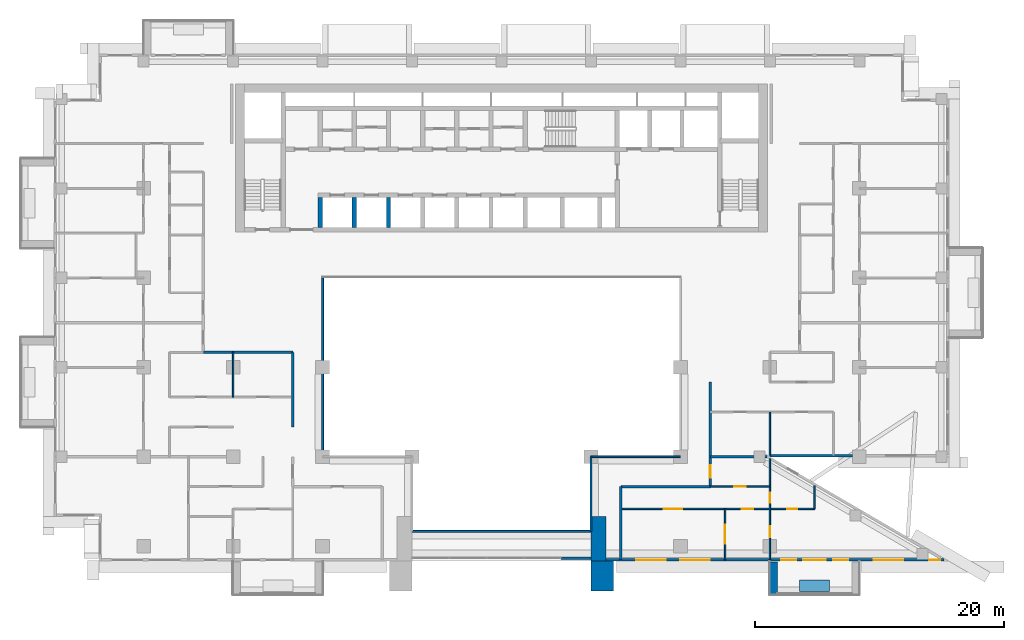
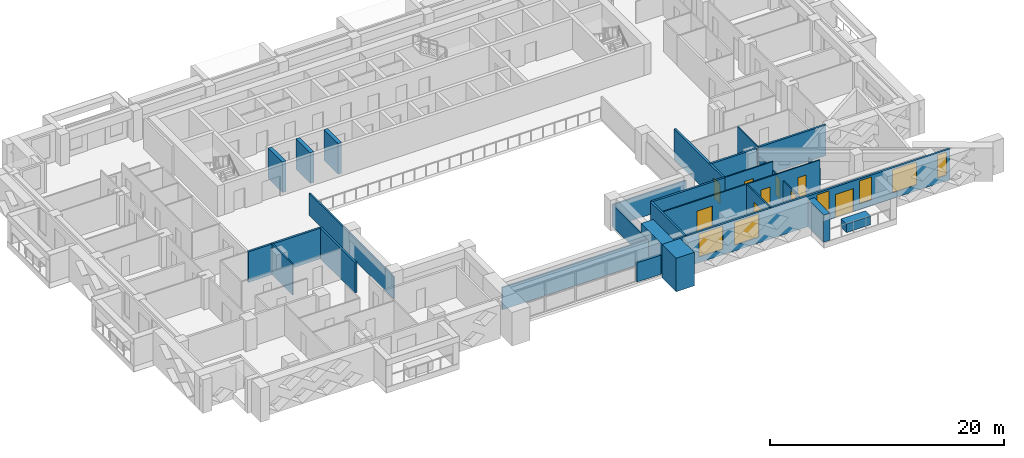
# One storey, part 8 of 20: 27 walls, 9 doors, 6 windows, 15 openings.
"""IFC4 building model written with IfcOpenShell, lengths in metres."""

from ifc_helpers import new_model, si_unit, direction, frame, frame_2d, origin, place, context, subcontext, project, spatial, rectangle, extrude, material, layer, layer_set, type_object, element, fill, save


model = new_model("IFC4")

# Units and contexts
model_context = context("Model", 3, precision=1e-05, world=origin(), true_north=direction((0.0, 1.0)))
body_context = subcontext(model_context, "Body", "Model", "MODEL_VIEW")
ifc_project = project(units=[si_unit("LENGTHUNIT", "METRE"), si_unit("AREAUNIT", "SQUARE_METRE"), si_unit("VOLUMEUNIT", "CUBIC_METRE"), si_unit("PLANEANGLEUNIT", "RADIAN"), si_unit("MASSUNIT", "GRAM", prefix="KILO")], contexts=[model_context])

# Site, building, storey
site_placement = place(None, origin())
site = spatial("IfcSite", under=ifc_project, at=site_placement, CompositionType="ELEMENT")
building_placement = place(site_placement, origin())
building = spatial("IfcBuilding", under=site, at=building_placement, Name="Saffron Iwan Residences", CompositionType="ELEMENT")
storey_placement = place(building_placement, frame((0.0, 0.0, 127.0)))
storey = spatial("IfcBuildingStorey", under=building, at=storey_placement, Name="L33", CompositionType="ELEMENT", Elevation=127.0)

# Walls
ifc_material_1 = material(Name="Fire-rated glazing", Category="glass")
ifc_layer_1 = layer(ifc_material_1, 0.14990234375)
ifc_layer_set_1 = layer_set([ifc_layer_1], Name="Fire-rated glazing")
wall_type_1 = type_object("IfcWallType", Name="Atrium glazed screen 150", PredefinedType="SOLIDWALL", material=ifc_layer_set_1)
wall_1_placement = place(storey_placement, frame((43.199951171875, 42.0, 0.0), z_axis=(0.0, 0.0, 1.0), x_axis=(1.0, 0.0, 0.0)))
element("IfcWall", 1, at=wall_1_placement, inside=storey, type_object=wall_type_1, Name="W-L33-SCREEN-h42-43.2", PredefinedType="SOLIDWALL", context=body_context, shape_type="SweptSolid", body=[
    extrude(rectangle(XDim=14.400146484375, YDim=0.14990234375, at=frame_2d((7.2001953125, 0.0))), origin(), (0.0, 0.0, 1.0), 2.300048828125),
])
wall_2_placement = place(storey_placement, frame((57.60009765625, 48.0, 0.0), z_axis=(0.0, 0.0, 1.0), x_axis=(1.0, 0.0, 0.0)))
element("IfcWall", 2, at=wall_2_placement, inside=storey, type_object=wall_type_1, Name="W-L33-SCREEN-h48-57.6", PredefinedType="SOLIDWALL", context=body_context, shape_type="SweptSolid", body=[
    extrude(rectangle(XDim=7.199951171875, YDim=0.14990234375, at=frame_2d((3.60009765625, 0.0))), origin(), (0.0, 0.0, 1.0), 2.300048828125),
])
wall_3_placement = place(storey_placement, frame((36.0, 48.0, 0.0), z_axis=(0.0, 0.0, 1.0), x_axis=(0.0, 1.0, 0.0)))
element("IfcWall", 3, at=wall_3_placement, inside=storey, type_object=wall_type_1, Name="W-L33-SCREEN-v36-48", PredefinedType="SOLIDWALL", context=body_context, shape_type="SweptSolid", body=[
    extrude(rectangle(XDim=14.39990234375, YDim=0.14990234375, at=frame_2d((7.199951171875, 0.0))), origin(), (0.0, 0.0, 1.0), 2.300048828125),
])
wall_4_placement = place(storey_placement, frame((57.60009765625, 42.0, 0.0), z_axis=(0.0, 0.0, 1.0), x_axis=(0.0, 1.0, 0.0)))
element("IfcWall", 4, at=wall_4_placement, inside=storey, type_object=wall_type_1, Name="W-L33-SCREEN-v57.6-42", PredefinedType="SOLIDWALL", context=body_context, shape_type="SweptSolid", body=[
    extrude(rectangle(XDim=6.0, YDim=0.14990234375, at=frame_2d((3.0, 0.0))), origin(), (0.0, 0.0, 1.0), 2.300048828125),
])
ifc_material_2 = material(Name="Concrete C50/60 white painted", Category="concrete")
ifc_layer_2 = layer(ifc_material_2, 0.60009765625)
ifc_layer_set_2 = layer_set([ifc_layer_2], Name="Concrete C50/60 white painted")
wall_type_2 = type_object("IfcWallType", Name="BALCONY FIN 600", PredefinedType="SOLIDWALL", material=ifc_layer_set_2)
wall_5_placement = place(storey_placement, frame((72.300048828125, 39.550048828125, 0.0), z_axis=(0.0, 0.0, 1.0), x_axis=(0.0, -1.0, 0.0)))
element("IfcWall", 5, at=wall_5_placement, inside=storey, type_object=wall_type_2, Name="Balcony fin L33 11-1a", PredefinedType="SOLIDWALL", context=body_context, shape_type="SweptSolid", body=[
    extrude(rectangle(XDim=2.650146484375, YDim=0.60009765625, at=frame_2d((1.3251953125, 0.0))), origin(), (0.0, 0.0, 1.0), 2.85009765625),
])
ifc_material_3 = material(Name="Concrete C35/45 white painted", Category="concrete")
ifc_layer_3 = layer(ifc_material_3, 0.14990234375)
ifc_layer_set_3 = layer_set([ifc_layer_3], Name="Concrete C35/45 white painted")
wall_type_3 = type_object("IfcWallType", Name="BALCONY PLANTER", PredefinedType="SOLIDWALL", material=ifc_layer_set_3)
wall_6_placement = place(storey_placement, frame((74.39990234375, 37.625, 0.0), z_axis=(0.0, 0.0, 1.0), x_axis=(1.0, 0.0, 0.0)))
element("IfcWall", 6, at=wall_6_placement, inside=storey, type_object=wall_type_3, Name="PLANTER L33 11-1", PredefinedType="SOLIDWALL", context=body_context, shape_type="SweptSolid", body=[
    extrude(rectangle(XDim=2.400146484375, YDim=0.89990234375, at=frame_2d((1.2001953125, 0.0))), origin(), (0.0, 0.0, 1.0), 0.89990234375),
])
ifc_material_4 = material(Name="Concrete C40/50", Category="concrete")
ifc_layer_4 = layer(ifc_material_4, 0.199951171875)
ifc_layer_set_4 = layer_set([ifc_layer_4], Name="Concrete C40/50")
wall_type_4 = type_object("IfcWallType", Name="EXTERNAL WALL 200", PredefinedType="SOLIDWALL", material=ifc_layer_set_4)
wall_7_placement = place(storey_placement, frame((71.989990234375, 48.10009765625, 0.0), z_axis=(0.0, 0.0, 1.0), x_axis=(1.0, 0.0, 0.0)))
element("IfcWall", 7, at=wall_7_placement, inside=storey, type_object=wall_type_4, Name="External wall L33 F1.0", PredefinedType="SOLIDWALL", context=body_context, shape_type="SweptSolid", body=[
    extrude(rectangle(XDim=6.659912109375, YDim=0.199951171875, at=frame_2d((3.330078125, 0.0))), origin(), (0.0, 0.0, 1.0), 3.199951171875),
])

# Wall, openings, door, windows
wall_8_placement = place(storey_placement, frame((58.800048828125, 39.699951171875, 0.0), z_axis=(0.0, 0.0, 1.0), x_axis=(1.0, 0.0, 0.0)))
wall_8 = element("IfcWall", 8, at=wall_8_placement, inside=storey, type_object=wall_type_4, Name="External wall L33 F11.1", PredefinedType="SOLIDWALL", context=body_context, shape_type="SweptSolid", body=[
    extrude(rectangle(XDim=27.22998046875, YDim=0.199951171875, at=frame_2d((13.614990234375, 0.0))), origin(), (0.0, 0.0, 1.0), 3.199951171875),
])
opening_1_placement = place(wall_8_placement, frame((15.89990234375, 0.0, 0.0)))
opening_1 = element("IfcOpeningElement", 9, at=opening_1_placement, cuts=wall_8, Name="Opening BD1", PredefinedType="OPENING", context=body_context, shape_type="SweptSolid", body=[
    extrude(rectangle(XDim=1.800048828125, YDim=2.39990234375, at=frame_2d((0.89990234375, 1.199951171875))), frame((0.0, 0.10986328125, 0.0), z_axis=(0.0, -1.0, 0.0), x_axis=(1.0, 0.0, 0.0)), (0.0, 0.0, 1.0), 0.219970703125),
])
opening_2_placement = place(wall_8_placement, frame((2.433349609375, 0.0, 0.60009765625)))
opening_2 = element("IfcOpeningElement", 10, at=opening_2_placement, cuts=wall_8, Name="Opening W1", PredefinedType="OPENING", context=body_context, shape_type="SweptSolid", body=[
    extrude(rectangle(XDim=2.39990234375, YDim=2.39990234375, at=frame_2d((1.199951171875, 1.199951171875))), frame((0.0, 0.10986328125, 0.0), z_axis=(0.0, -1.0, 0.0), x_axis=(1.0, 0.0, 0.0)), (0.0, 0.0, 1.0), 0.219970703125),
])
opening_3_placement = place(wall_8_placement, frame((5.966796875, 0.0, 0.60009765625)))
opening_3 = element("IfcOpeningElement", 11, at=opening_3_placement, cuts=wall_8, Name="Opening W1", PredefinedType="OPENING", context=body_context, shape_type="SweptSolid", body=[
    extrude(rectangle(XDim=2.39990234375, YDim=2.39990234375, at=frame_2d((1.199951171875, 1.199951171875))), frame((0.0, 0.10986328125, 0.0), z_axis=(0.0, -1.0, 0.0), x_axis=(1.0, 0.0, 0.0)), (0.0, 0.0, 1.0), 0.219970703125),
])
opening_4_placement = place(wall_8_placement, frame((14.10009765625, 0.0, 0.60009765625)))
opening_4 = element("IfcOpeningElement", 12, at=opening_4_placement, cuts=wall_8, Name="Opening W3", PredefinedType="OPENING", context=body_context, shape_type="SweptSolid", body=[
    extrude(rectangle(XDim=1.199951171875, YDim=2.39990234375, at=frame_2d((0.60009765625, 1.199951171875))), frame((0.0, 0.10986328125, 0.0), z_axis=(0.0, -1.0, 0.0), x_axis=(1.0, 0.0, 0.0)), (0.0, 0.0, 1.0), 0.219970703125),
])
opening_5_placement = place(wall_8_placement, frame((18.300048828125, 0.0, 0.60009765625)))
opening_5 = element("IfcOpeningElement", 13, at=opening_5_placement, cuts=wall_8, Name="Opening W3", PredefinedType="OPENING", context=body_context, shape_type="SweptSolid", body=[
    extrude(rectangle(XDim=1.199951171875, YDim=2.39990234375, at=frame_2d((0.60009765625, 1.199951171875))), frame((0.0, 0.10986328125, 0.0), z_axis=(0.0, -1.0, 0.0), x_axis=(1.0, 0.0, 0.0)), (0.0, 0.0, 1.0), 0.219970703125),
])
opening_6_placement = place(wall_8_placement, frame((21.5380859375, 0.0, 0.60009765625)))
opening_6 = element("IfcOpeningElement", 14, at=opening_6_placement, cuts=wall_8, Name="Opening W1", PredefinedType="OPENING", context=body_context, shape_type="SweptSolid", body=[
    extrude(rectangle(XDim=2.39990234375, YDim=2.39990234375, at=frame_2d((1.199951171875, 1.199951171875))), frame((0.0, 0.10986328125, 0.0), z_axis=(0.0, -1.0, 0.0), x_axis=(1.0, 0.0, 0.0)), (0.0, 0.0, 1.0), 0.219970703125),
])
opening_7_placement = place(wall_8_placement, frame((26.003173828125, 0.0, 0.60009765625)))
opening_7 = element("IfcOpeningElement", 15, at=opening_7_placement, cuts=wall_8, Name="Opening W10", PredefinedType="OPENING", context=body_context, shape_type="SweptSolid", body=[
    extrude(rectangle(XDim=0.89990234375, YDim=2.39990234375, at=frame_2d((0.449951171875, 1.199951171875))), frame((0.0, 0.10986328125, 0.0), z_axis=(0.0, -1.0, 0.0), x_axis=(1.0, 0.0, 0.0)), (0.0, 0.0, 1.0), 0.219970703125),
])
ifc_material_5 = material(Name="Clear glass, laminated double glazed", Category="glass")
door_type_1 = type_object("IfcDoorType", Name="BALCONY DOOR 1800 x 2400", OperationType="DOUBLE_DOOR_SLIDING", PredefinedType="DOOR", material=ifc_material_5)
door_1_placement = place(opening_1_placement, origin())
door_1 = element("IfcDoor", 16, at=door_1_placement, inside=storey, type_object=door_type_1, Name="Balcony door L33 F11.0", OperationType="DOUBLE_DOOR_SLIDING", OverallHeight=2.39990234375, OverallWidth=1.800048828125, PredefinedType="DOOR", context=body_context, shape_type="SweptSolid", body=[
    extrude(rectangle(XDim=1.800048828125, YDim=2.39990234375, at=frame_2d((0.89990234375, 1.199951171875))), frame((0.0, 0.02490234375, 0.0), z_axis=(0.0, -1.0, 0.0), x_axis=(1.0, 0.0, 0.0)), (0.0, 0.0, 1.0), 0.050048828125),
])
fill(opening_1, door_1)
window_type_1 = type_object("IfcWindowType", Name="WINDOW 1200 x 2400", PartitioningType="SINGLE_PANEL", PredefinedType="WINDOW", material=ifc_material_5)
window_1_placement = place(opening_4_placement, origin())
window_1 = element("IfcWindow", 17, at=window_1_placement, inside=storey, type_object=window_type_1, Name="Window L33 F11.3", OverallHeight=2.39990234375, OverallWidth=1.199951171875, PartitioningType="SINGLE_PANEL", PredefinedType="WINDOW", context=body_context, shape_type="SweptSolid", body=[
    extrude(rectangle(XDim=1.199951171875, YDim=2.39990234375, at=frame_2d((0.60009765625, 1.199951171875))), frame((0.0, 0.030029296875, 0.0), z_axis=(0.0, -1.0, 0.0), x_axis=(1.0, 0.0, 0.0)), (0.0, 0.0, 1.0), 0.06005859375),
])
fill(opening_4, window_1)
window_2_placement = place(opening_5_placement, origin())
window_2 = element("IfcWindow", 18, at=window_2_placement, inside=storey, type_object=window_type_1, Name="Window L33 F11.4", OverallHeight=2.39990234375, OverallWidth=1.199951171875, PartitioningType="SINGLE_PANEL", PredefinedType="WINDOW", context=body_context, shape_type="SweptSolid", body=[
    extrude(rectangle(XDim=1.199951171875, YDim=2.39990234375, at=frame_2d((0.60009765625, 1.199951171875))), frame((0.0, 0.030029296875, 0.0), z_axis=(0.0, -1.0, 0.0), x_axis=(1.0, 0.0, 0.0)), (0.0, 0.0, 1.0), 0.06005859375),
])
fill(opening_5, window_2)
window_type_2 = type_object("IfcWindowType", Name="WINDOW 2400 x 2400", PartitioningType="DOUBLE_PANEL_VERTICAL", PredefinedType="WINDOW", material=ifc_material_5)
window_3_placement = place(opening_2_placement, origin())
window_3 = element("IfcWindow", 19, at=window_3_placement, inside=storey, type_object=window_type_2, Name="Window L33 F11.1", OverallHeight=2.39990234375, OverallWidth=2.39990234375, PartitioningType="DOUBLE_PANEL_VERTICAL", PredefinedType="WINDOW", context=body_context, shape_type="SweptSolid", body=[
    extrude(rectangle(XDim=2.39990234375, YDim=2.39990234375, at=frame_2d((1.199951171875, 1.199951171875))), frame((0.0, 0.030029296875, 0.0), z_axis=(0.0, -1.0, 0.0), x_axis=(1.0, 0.0, 0.0)), (0.0, 0.0, 1.0), 0.06005859375),
])
fill(opening_2, window_3)
window_4_placement = place(opening_3_placement, origin())
window_4 = element("IfcWindow", 20, at=window_4_placement, inside=storey, type_object=window_type_2, Name="Window L33 F11.2", OverallHeight=2.39990234375, OverallWidth=2.39990234375, PartitioningType="DOUBLE_PANEL_VERTICAL", PredefinedType="WINDOW", context=body_context, shape_type="SweptSolid", body=[
    extrude(rectangle(XDim=2.39990234375, YDim=2.39990234375, at=frame_2d((1.199951171875, 1.199951171875))), frame((0.0, 0.030029296875, 0.0), z_axis=(0.0, -1.0, 0.0), x_axis=(1.0, 0.0, 0.0)), (0.0, 0.0, 1.0), 0.06005859375),
])
fill(opening_3, window_4)
window_5_placement = place(opening_6_placement, origin())
window_5 = element("IfcWindow", 21, at=window_5_placement, inside=storey, type_object=window_type_2, Name="Window L33 F11.5", OverallHeight=2.39990234375, OverallWidth=2.39990234375, PartitioningType="DOUBLE_PANEL_VERTICAL", PredefinedType="WINDOW", context=body_context, shape_type="SweptSolid", body=[
    extrude(rectangle(XDim=2.39990234375, YDim=2.39990234375, at=frame_2d((1.199951171875, 1.199951171875))), frame((0.0, 0.030029296875, 0.0), z_axis=(0.0, -1.0, 0.0), x_axis=(1.0, 0.0, 0.0)), (0.0, 0.0, 1.0), 0.06005859375),
])
fill(opening_6, window_5)
window_type_3 = type_object("IfcWindowType", Name="WINDOW 900 x 2400", PartitioningType="SINGLE_PANEL", PredefinedType="WINDOW", material=ifc_material_5)
window_6_placement = place(opening_7_placement, origin())
window_6 = element("IfcWindow", 22, at=window_6_placement, inside=storey, type_object=window_type_3, Name="Window L33 F11.6", OverallHeight=2.39990234375, OverallWidth=0.89990234375, PartitioningType="SINGLE_PANEL", PredefinedType="WINDOW", context=body_context, shape_type="SweptSolid", body=[
    extrude(rectangle(XDim=0.89990234375, YDim=2.39990234375, at=frame_2d((0.449951171875, 1.199951171875))), frame((0.0, 0.030029296875, 0.0), z_axis=(0.0, -1.0, 0.0), x_axis=(1.0, 0.0, 0.0)), (0.0, 0.0, 1.0), 0.06005859375),
])
fill(opening_7, window_6)

# Walls
wall_9_placement = place(storey_placement, frame((55.199951171875, 39.85009765625, 0.0), z_axis=(0.0, 0.0, 1.0), x_axis=(1.0, 0.0, 0.0)))
element("IfcWall", 23, at=wall_9_placement, inside=storey, type_object=wall_type_4, Name="External wall infill CWB-L33-0", PredefinedType="SOLIDWALL", context=body_context, shape_type="SweptSolid", body=[
    extrude(rectangle(XDim=2.400146484375, YDim=0.199951171875, at=frame_2d((1.2001953125, 0.0))), origin(), (0.0, 0.0, 1.0), 2.0),
])
ifc_material_6 = material(Name="Fire-rated gypsum board wall")
ifc_layer_5 = layer(ifc_material_6, 0.199951171875)
ifc_layer_set_5 = layer_set([ifc_layer_5], Name="Fire-rated gypsum board wall")
wall_type_5 = type_object("IfcWallType", Name="Flat demising wall 200", PredefinedType="SOLIDWALL", material=ifc_layer_set_5)
wall_10_placement = place(storey_placement, frame((67.199951171875, 48.0, 0.0), z_axis=(0.0, 0.0, 1.0), x_axis=(1.0, 0.0, 0.0)))
element("IfcWall", 24, at=wall_10_placement, inside=storey, type_object=wall_type_5, Name="W-L33-DEMISE-h48-67.2", PredefinedType="SOLIDWALL", context=body_context, shape_type="SweptSolid", body=[
    extrude(rectangle(XDim=4.552001953125, YDim=0.199951171875, at=frame_2d((2.27587890625, 0.0))), origin(), (0.0, 0.0, 1.0), 3.199951171875),
])

# Wall, openings, doors
ifc_material_7 = material(Name="Gypsum board partition")
ifc_layer_6 = layer(ifc_material_7, 0.1201171875)
ifc_layer_set_6 = layer_set([ifc_layer_6], Name="Gypsum board partition")
wall_type_6 = type_object("IfcWallType", Name="Flat partition 120", PredefinedType="PARTITIONING", material=ifc_layer_set_6)
wall_11_placement = place(storey_placement, frame((60.0, 43.800048828125, 0.0), z_axis=(0.0, 0.0, 1.0), x_axis=(1.0, 0.0, 0.0)))
wall_11 = element("IfcWall", 25, at=wall_11_placement, inside=storey, type_object=wall_type_6, Name="W-L33-PART-h43.8-60", PredefinedType="PARTITIONING", context=body_context, shape_type="SweptSolid", body=[
    extrude(rectangle(XDim=15.60009765625, YDim=0.1201171875, at=frame_2d((7.800048828125, 0.0))), origin(), (0.0, 0.0, 1.0), 3.199951171875),
])
opening_8_placement = place(wall_11_placement, frame((9.75, 0.0, 0.0)))
opening_8 = element("IfcOpeningElement", 26, at=opening_8_placement, cuts=wall_11, Name="Opening FD2", PredefinedType="OPENING", context=body_context, shape_type="SweptSolid", body=[
    extrude(rectangle(XDim=0.89990234375, YDim=2.10009765625, at=frame_2d((0.449951171875, 1.050048828125))), frame((0.0, 0.070068359375, 0.0), z_axis=(0.0, -1.0, 0.0), x_axis=(1.0, 0.0, 0.0)), (0.0, 0.0, 1.0), 0.14013671875),
])
opening_9_placement = place(wall_11_placement, frame((3.449951171875, 0.0, 0.0)))
opening_9 = element("IfcOpeningElement", 27, at=opening_9_placement, cuts=wall_11, Name="Opening FD4", PredefinedType="OPENING", context=body_context, shape_type="SweptSolid", body=[
    extrude(rectangle(XDim=1.5, YDim=2.10009765625, at=frame_2d((0.75, 1.050048828125))), frame((0.0, 0.070068359375, 0.0), z_axis=(0.0, -1.0, 0.0), x_axis=(1.0, 0.0, 0.0)), (0.0, 0.0, 1.0), 0.14013671875),
])
opening_10_placement = place(wall_11_placement, frame((13.39990234375, 0.0, 0.0)))
opening_10 = element("IfcOpeningElement", 28, at=opening_10_placement, cuts=wall_11, Name="Opening FD3", PredefinedType="OPENING", context=body_context, shape_type="SweptSolid", body=[
    extrude(rectangle(XDim=0.800048828125, YDim=2.10009765625, at=frame_2d((0.39990234375, 1.050048828125))), frame((0.0, 0.070068359375, 0.0), z_axis=(0.0, -1.0, 0.0), x_axis=(1.0, 0.0, 0.0)), (0.0, 0.0, 1.0), 0.14013671875),
])
ifc_material_8 = material(Name="Timber door", Category="wood")
door_type_2 = type_object("IfcDoorType", Name="Bathroom door 800", OperationType="NOTDEFINED", PredefinedType="DOOR", material=ifc_material_8)
door_2_placement = place(opening_10_placement, origin())
door_2 = element("IfcDoor", 29, at=door_2_placement, inside=storey, type_object=door_type_2, Name="Door L33-045", OperationType="SINGLE_SWING_LEFT", OverallHeight=2.10009765625, OverallWidth=0.800048828125, PredefinedType="DOOR", context=body_context, shape_type="SweptSolid", body=[
    extrude(rectangle(XDim=0.800048828125, YDim=2.10009765625, at=frame_2d((0.39990234375, 1.050048828125))), frame((0.0, 0.02490234375, 0.0), z_axis=(0.0, -1.0, 0.0), x_axis=(1.0, 0.0, 0.0)), (0.0, 0.0, 1.0), 0.050048828125),
])
fill(opening_10, door_2)
door_type_3 = type_object("IfcDoorType", Name="Double door 1500", OperationType="NOTDEFINED", PredefinedType="DOOR", material=ifc_material_8)
door_3_placement = place(opening_9_placement, origin())
door_3 = element("IfcDoor", 30, at=door_3_placement, inside=storey, type_object=door_type_3, Name="Door L33-042", OperationType="SINGLE_SWING_LEFT", OverallHeight=2.10009765625, OverallWidth=1.5, PredefinedType="DOOR", context=body_context, shape_type="SweptSolid", body=[
    extrude(rectangle(XDim=1.5, YDim=2.10009765625, at=frame_2d((0.75, 1.050048828125))), frame((0.0, 0.02490234375, 0.0), z_axis=(0.0, -1.0, 0.0), x_axis=(1.0, 0.0, 0.0)), (0.0, 0.0, 1.0), 0.050048828125),
])
fill(opening_9, door_3)
door_type_4 = type_object("IfcDoorType", Name="Flat door 900", OperationType="NOTDEFINED", PredefinedType="DOOR", material=ifc_material_8)
door_4_placement = place(opening_8_placement, origin())
door_4 = element("IfcDoor", 31, at=door_4_placement, inside=storey, type_object=door_type_4, Name="Door L33-041", OperationType="SINGLE_SWING_LEFT", OverallHeight=2.10009765625, OverallWidth=0.89990234375, PredefinedType="DOOR", context=body_context, shape_type="SweptSolid", body=[
    extrude(rectangle(XDim=0.89990234375, YDim=2.10009765625, at=frame_2d((0.449951171875, 1.050048828125))), frame((0.0, 0.02490234375, 0.0), z_axis=(0.0, -1.0, 0.0), x_axis=(1.0, 0.0, 0.0)), (0.0, 0.0, 1.0), 0.050048828125),
])
fill(opening_8, door_4)

# Wall, opening, door
wall_12_placement = place(storey_placement, frame((67.199951171875, 45.60009765625, 0.0), z_axis=(0.0, 0.0, 1.0), x_axis=(1.0, 0.0, 0.0)))
wall_12 = element("IfcWall", 32, at=wall_12_placement, inside=storey, type_object=wall_type_6, Name="W-L33-PART-h45.6-67.2", PredefinedType="PARTITIONING", context=body_context, shape_type="SweptSolid", body=[
    extrude(rectangle(XDim=4.800048828125, YDim=0.1201171875, at=frame_2d((2.39990234375, 0.0))), origin(), (0.0, 0.0, 1.0), 3.199951171875),
])
opening_11_placement = place(wall_12_placement, frame((1.949951171875, 0.0, 0.0)))
opening_11 = element("IfcOpeningElement", 33, at=opening_11_placement, cuts=wall_12, Name="Opening FD2", PredefinedType="OPENING", context=body_context, shape_type="SweptSolid", body=[
    extrude(rectangle(XDim=0.89990234375, YDim=2.10009765625, at=frame_2d((0.449951171875, 1.050048828125))), frame((0.0, 0.070068359375, 0.0), z_axis=(0.0, -1.0, 0.0), x_axis=(1.0, 0.0, 0.0)), (0.0, 0.0, 1.0), 0.14013671875),
])
door_5_placement = place(opening_11_placement, origin())
door_5 = element("IfcDoor", 34, at=door_5_placement, inside=storey, type_object=door_type_4, Name="Door L33-039", OperationType="SINGLE_SWING_LEFT", OverallHeight=2.10009765625, OverallWidth=0.89990234375, PredefinedType="DOOR", context=body_context, shape_type="SweptSolid", body=[
    extrude(rectangle(XDim=0.89990234375, YDim=2.10009765625, at=frame_2d((0.449951171875, 1.050048828125))), frame((0.0, 0.02490234375, 0.0), z_axis=(0.0, -1.0, 0.0), x_axis=(1.0, 0.0, 0.0)), (0.0, 0.0, 1.0), 0.050048828125),
])
fill(opening_11, door_5)

# Wall
wall_13_placement = place(storey_placement, frame((28.800048828125, 52.800048828125, 0.0), z_axis=(0.0, 0.0, 1.0), x_axis=(0.0, 1.0, 0.0)))
element("IfcWall", 35, at=wall_13_placement, inside=storey, type_object=wall_type_6, Name="W-L33-PART-v28.8-52.8", PredefinedType="PARTITIONING", context=body_context, shape_type="SweptSolid", body=[
    extrude(rectangle(XDim=3.599853515625, YDim=0.1201171875, at=frame_2d((1.7998046875, 0.0))), origin(), (0.0, 0.0, 1.0), 3.199951171875),
])

# Wall, opening, door
wall_14_placement = place(storey_placement, frame((68.39990234375, 39.72509765625, 0.0), z_axis=(0.0, 0.0, 1.0), x_axis=(0.0, 1.0, 0.0)))
wall_14 = element("IfcWall", 36, at=wall_14_placement, inside=storey, type_object=wall_type_6, Name="W-L33-PART-v68.4-39.725", PredefinedType="PARTITIONING", context=body_context, shape_type="SweptSolid", body=[
    extrude(rectangle(XDim=4.074951171875, YDim=0.1201171875, at=frame_2d((2.03759765625, 0.0))), origin(), (0.0, 0.0, 1.0), 3.199951171875),
])
opening_12_placement = place(wall_14_placement, frame((1.28759765625, 0.0, 0.0)))
opening_12 = element("IfcOpeningElement", 37, at=opening_12_placement, cuts=wall_14, Name="Opening FD4", PredefinedType="OPENING", context=body_context, shape_type="SweptSolid", body=[
    extrude(rectangle(XDim=1.5, YDim=2.10009765625, at=frame_2d((0.75, 1.050048828125))), frame((0.0, 0.070068359375, 0.0), z_axis=(0.0, -1.0, 0.0), x_axis=(1.0, 0.0, 0.0)), (0.0, 0.0, 1.0), 0.14013671875),
])
door_6_placement = place(opening_12_placement, origin())
door_6 = element("IfcDoor", 38, at=door_6_placement, inside=storey, type_object=door_type_3, Name="Door L33-038", OperationType="SINGLE_SWING_LEFT", OverallHeight=2.10009765625, OverallWidth=1.5, PredefinedType="DOOR", context=body_context, shape_type="SweptSolid", body=[
    extrude(rectangle(XDim=1.5, YDim=2.10009765625, at=frame_2d((0.75, 1.050048828125))), frame((0.0, 0.02490234375, 0.0), z_axis=(0.0, -1.0, 0.0), x_axis=(1.0, 0.0, 0.0)), (0.0, 0.0, 1.0), 0.050048828125),
])
fill(opening_12, door_6)

# Wall, openings, doors
wall_15_placement = place(storey_placement, frame((72.0, 39.72509765625, 0.0), z_axis=(0.0, 0.0, 1.0), x_axis=(0.0, 1.0, 0.0)))
wall_15 = element("IfcWall", 39, at=wall_15_placement, inside=storey, type_object=wall_type_6, Name="W-L33-PART-v72-39.725", PredefinedType="PARTITIONING", context=body_context, shape_type="SweptSolid", body=[
    extrude(rectangle(XDim=8.1298828125, YDim=0.1201171875, at=frame_2d((4.06494140625, 0.0))), origin(), (0.0, 0.0, 1.0), 2.300048828125),
])
opening_13_placement = place(wall_15_placement, frame((1.78759765625, 0.0, 0.0)))
opening_13 = element("IfcOpeningElement", 40, at=opening_13_placement, cuts=wall_15, Name="Opening FD2", PredefinedType="OPENING", context=body_context, shape_type="SweptSolid", body=[
    extrude(rectangle(XDim=0.89990234375, YDim=2.10009765625, at=frame_2d((0.449951171875, 1.050048828125))), frame((0.0, 0.070068359375, 0.0), z_axis=(0.0, -1.0, 0.0), x_axis=(1.0, 0.0, 0.0)), (0.0, 0.0, 1.0), 0.14013671875),
])
opening_14_placement = place(wall_15_placement, frame((4.574951171875, 0.0, 0.0)))
opening_14 = element("IfcOpeningElement", 41, at=opening_14_placement, cuts=wall_15, Name="Opening FD3", PredefinedType="OPENING", context=body_context, shape_type="SweptSolid", body=[
    extrude(rectangle(XDim=0.800048828125, YDim=2.10009765625, at=frame_2d((0.39990234375, 1.050048828125))), frame((0.0, 0.070068359375, 0.0), z_axis=(0.0, -1.0, 0.0), x_axis=(1.0, 0.0, 0.0)), (0.0, 0.0, 1.0), 0.14013671875),
])
door_7_placement = place(opening_14_placement, origin())
door_7 = element("IfcDoor", 42, at=door_7_placement, inside=storey, type_object=door_type_2, Name="Door L33-044", OperationType="SINGLE_SWING_LEFT", OverallHeight=2.10009765625, OverallWidth=0.800048828125, PredefinedType="DOOR", context=body_context, shape_type="SweptSolid", body=[
    extrude(rectangle(XDim=0.800048828125, YDim=2.10009765625, at=frame_2d((0.39990234375, 1.050048828125))), frame((0.0, 0.02490234375, 0.0), z_axis=(0.0, -1.0, 0.0), x_axis=(1.0, 0.0, 0.0)), (0.0, 0.0, 1.0), 0.050048828125),
])
fill(opening_14, door_7)
door_8_placement = place(opening_13_placement, origin())
door_8 = element("IfcDoor", 43, at=door_8_placement, inside=storey, type_object=door_type_4, Name="Door L33-043", OperationType="SINGLE_SWING_LEFT", OverallHeight=2.10009765625, OverallWidth=0.89990234375, PredefinedType="DOOR", context=body_context, shape_type="SweptSolid", body=[
    extrude(rectangle(XDim=0.89990234375, YDim=2.10009765625, at=frame_2d((0.449951171875, 1.050048828125))), frame((0.0, 0.02490234375, 0.0), z_axis=(0.0, -1.0, 0.0), x_axis=(1.0, 0.0, 0.0)), (0.0, 0.0, 1.0), 0.050048828125),
])
fill(opening_13, door_8)

# Walls
wall_16_placement = place(storey_placement, frame((72.0, 48.125, 0.0), z_axis=(0.0, 0.0, 1.0), x_axis=(0.0, 1.0, 0.0)))
element("IfcWall", 44, at=wall_16_placement, inside=storey, type_object=wall_type_6, Name="W-L33-PART-v72-48.125", PredefinedType="PARTITIONING", context=body_context, shape_type="SweptSolid", body=[
    extrude(rectangle(XDim=3.47509765625, YDim=0.1201171875, at=frame_2d((1.737548828125, 0.0))), origin(), (0.0, 0.0, 1.0), 3.199951171875),
])
wall_17_placement = place(storey_placement, frame((75.60009765625, 43.800048828125, 0.0), z_axis=(0.0, 0.0, 1.0), x_axis=(0.0, 1.0, 0.0)))
element("IfcWall", 45, at=wall_17_placement, inside=storey, type_object=wall_type_6, Name="W-L33-PART-v75.6-43.8", PredefinedType="PARTITIONING", context=body_context, shape_type="SweptSolid", body=[
    extrude(rectangle(XDim=1.868408203125, YDim=0.1201171875, at=frame_2d((0.93408203125, 0.0))), origin(), (0.0, 0.0, 1.0), 2.300048828125),
])
ifc_layer_7 = layer(ifc_material_6, 0.199951171875)
ifc_layer_set_7 = layer_set([ifc_layer_7], Name="Fire-rated gypsum board wall")
wall_type_7 = type_object("IfcWallType", Name="Gallery wall 200", PredefinedType="SOLIDWALL", material=ifc_layer_set_7)
wall_18_placement = place(storey_placement, frame((60.0, 45.60009765625, 0.0), z_axis=(0.0, 0.0, 1.0), x_axis=(1.0, 0.0, 0.0)))
element("IfcWall", 46, at=wall_18_placement, inside=storey, type_object=wall_type_7, Name="W-L33-CORR-h45.6-60", PredefinedType="SOLIDWALL", context=body_context, shape_type="SweptSolid", body=[
    extrude(rectangle(XDim=7.199951171875, YDim=0.199951171875, at=frame_2d((3.60009765625, 0.0))), origin(), (0.0, 0.0, 1.0), 3.199951171875),
])
wall_19_placement = place(storey_placement, frame((26.39990234375, 56.39990234375, 0.0), z_axis=(0.0, 0.0, 1.0), x_axis=(1.0, 0.0, 0.0)))
element("IfcWall", 47, at=wall_19_placement, inside=storey, type_object=wall_type_7, Name="W-L33-CORR-h56.4-26.4", PredefinedType="SOLIDWALL", context=body_context, shape_type="SweptSolid", body=[
    extrude(rectangle(XDim=7.2001953125, YDim=0.199951171875, at=frame_2d((3.60009765625, 0.0))), origin(), (0.0, 0.0, 1.0), 3.199951171875),
])
wall_20_placement = place(storey_placement, frame((33.60009765625, 50.39990234375, 0.0), z_axis=(0.0, 0.0, 1.0), x_axis=(0.0, 1.0, 0.0)))
element("IfcWall", 48, at=wall_20_placement, inside=storey, type_object=wall_type_7, Name="W-L33-CORR-v33.6-50.4", PredefinedType="SOLIDWALL", context=body_context, shape_type="SweptSolid", body=[
    extrude(rectangle(XDim=6.0, YDim=0.199951171875, at=frame_2d((3.0, 0.0))), origin(), (0.0, 0.0, 1.0), 3.199951171875),
])
wall_21_placement = place(storey_placement, frame((60.0, 39.72509765625, 0.0), z_axis=(0.0, 0.0, 1.0), x_axis=(0.0, 1.0, 0.0)))
element("IfcWall", 49, at=wall_21_placement, inside=storey, type_object=wall_type_7, Name="W-L33-CORR-v60-39.725", PredefinedType="SOLIDWALL", context=body_context, shape_type="SweptSolid", body=[
    extrude(rectangle(XDim=5.875, YDim=0.199951171875, at=frame_2d((2.9375, 0.0))), origin(), (0.0, 0.0, 1.0), 3.199951171875),
])

# Wall, opening, door
wall_22_placement = place(storey_placement, frame((67.199951171875, 45.60009765625, 0.0), z_axis=(0.0, 0.0, 1.0), x_axis=(0.0, 1.0, 0.0)))
wall_22 = element("IfcWall", 50, at=wall_22_placement, inside=storey, type_object=wall_type_7, Name="W-L33-CORR-v67.2-45.6", PredefinedType="SOLIDWALL", context=body_context, shape_type="SweptSolid", body=[
    extrude(rectangle(XDim=8.39990234375, YDim=0.199951171875, at=frame_2d((4.199951171875, 0.0))), origin(), (0.0, 0.0, 1.0), 3.199951171875),
])
opening_15_placement = place(wall_22_placement, frame((0.699951171875, 0.0, 0.0)))
opening_15 = element("IfcOpeningElement", 51, at=opening_15_placement, cuts=wall_22, Name="Opening FD5", PredefinedType="OPENING", context=body_context, shape_type="SweptSolid", body=[
    extrude(rectangle(XDim=1.0, YDim=2.10009765625, at=frame_2d((0.5, 1.050048828125))), frame((0.0, 0.10986328125, 0.0), z_axis=(0.0, -1.0, 0.0), x_axis=(1.0, 0.0, 0.0)), (0.0, 0.0, 1.0), 0.219970703125),
])
ifc_material_9 = material(Name="Fire-rated timber door", Category="wood")
door_type_5 = type_object("IfcDoorType", Name="Lobby door 1000", OperationType="NOTDEFINED", PredefinedType="DOOR", material=ifc_material_9)
door_9_placement = place(opening_15_placement, origin())
door_9 = element("IfcDoor", 52, at=door_9_placement, inside=storey, type_object=door_type_5, Name="Door L33-040", OperationType="SINGLE_SWING_RIGHT", OverallHeight=2.10009765625, OverallWidth=1.0, PredefinedType="DOOR", context=body_context, shape_type="SweptSolid", body=[
    extrude(rectangle(XDim=1.0, YDim=2.10009765625, at=frame_2d((0.5, 1.050048828125))), frame((0.0, 0.02490234375, 0.0), z_axis=(0.0, -1.0, 0.0), x_axis=(1.0, 0.0, 0.0)), (0.0, 0.0, 1.0), 0.050048828125),
])
fill(opening_15, door_9)

# Walls
ifc_material_10 = material(Name="Terracotta screen, precast concrete C40/50", Category="masonry")
ifc_layer_8 = layer(ifc_material_10, 1.800048828125)
ifc_layer_set_8 = layer_set([ifc_layer_8], Name="Terracotta screen, precast concrete C40/50")
wall_type_8 = type_object("IfcWallType", Name="Portal pier, precast concrete 1800 (tower)", PredefinedType="SOLIDWALL", material=ifc_layer_set_8)
wall_23_placement = place(storey_placement, frame((58.5, 37.199951171875, -0.300048828125), z_axis=(0.0, 0.0, 1.0), x_axis=(0.0, 1.0, 0.0)))
element("IfcWall", 53, at=wall_23_placement, inside=storey, type_object=wall_type_8, Name="Portal pier E L33", PredefinedType="SOLIDWALL", context=body_context, shape_type="SweptSolid", body=[
    extrude(rectangle(XDim=2.400146484375, YDim=1.800048828125, at=frame_2d((1.2001953125, 0.0))), origin(), (0.0, 0.0, 1.0), 3.5),
])
ifc_material_11 = material(Name="Concrete C50/60", Category="concrete")
ifc_layer_9 = layer(ifc_material_11, 0.35009765625)
ifc_layer_set_9 = layer_set([ifc_layer_9], Name="Concrete C50/60")
wall_type_9 = type_object("IfcWallType", Name="WALL CORE 350 C50/60 3200 HIGH", PredefinedType="SHEAR", material=ifc_layer_set_9)
for number, where, z_axis, x_axis, name in (
    (54, (35.800048828125, 66.449951171875, 0.0), (0.0, 0.0, 1.0), (0.0, 1.0, 0.0), "Core wall"),
    (55, (38.550048828125, 66.449951171875, 0.0), (0.0, 0.0, 1.0), (0.0, 1.0, 0.0), "Core wall"),
    (56, (41.300048828125, 66.449951171875, 0.0), (0.0, 0.0, 1.0), (0.0, 1.0, 0.0), "Core wall"),
):
    element("IfcWall", number, at=place(storey_placement, frame(where, z_axis=z_axis, x_axis=x_axis)), inside=storey, type_object=wall_type_9, Name=name, PredefinedType="SHEAR", context=body_context, shape_type="SweptSolid", body=[
        extrude(rectangle(XDim=2.425048828125, YDim=0.35009765625, at=frame_2d((1.21240234375, 0.0))), origin(), (0.0, 0.0, 1.0), 3.199951171875),
    ])
ifc_layer_10 = layer(ifc_material_11, 1.199951171875)
ifc_layer_set_10 = layer_set([ifc_layer_10], Name="Concrete C50/60")
wall_type_10 = type_object("IfcWallType", Name="WALL IWAN PIER 1200 C50/60 3200 HIGH", PredefinedType="SHEAR", material=ifc_layer_set_10)
wall_24_placement = place(storey_placement, frame((58.199951171875, 39.60009765625, 0.0), z_axis=(0.0, 0.0, 1.0), x_axis=(0.0, 1.0, 0.0)))
element("IfcWall", 57, at=wall_24_placement, inside=storey, type_object=wall_type_10, Name="IWAN PIER", PredefinedType="SHEAR", context=body_context, shape_type="SweptSolid", body=[
    extrude(rectangle(XDim=3.599853515625, YDim=1.199951171875, at=frame_2d((1.7998046875, 0.0))), origin(), (0.0, 0.0, 1.0), 3.199951171875),
])

save(model, "model.ifc")
